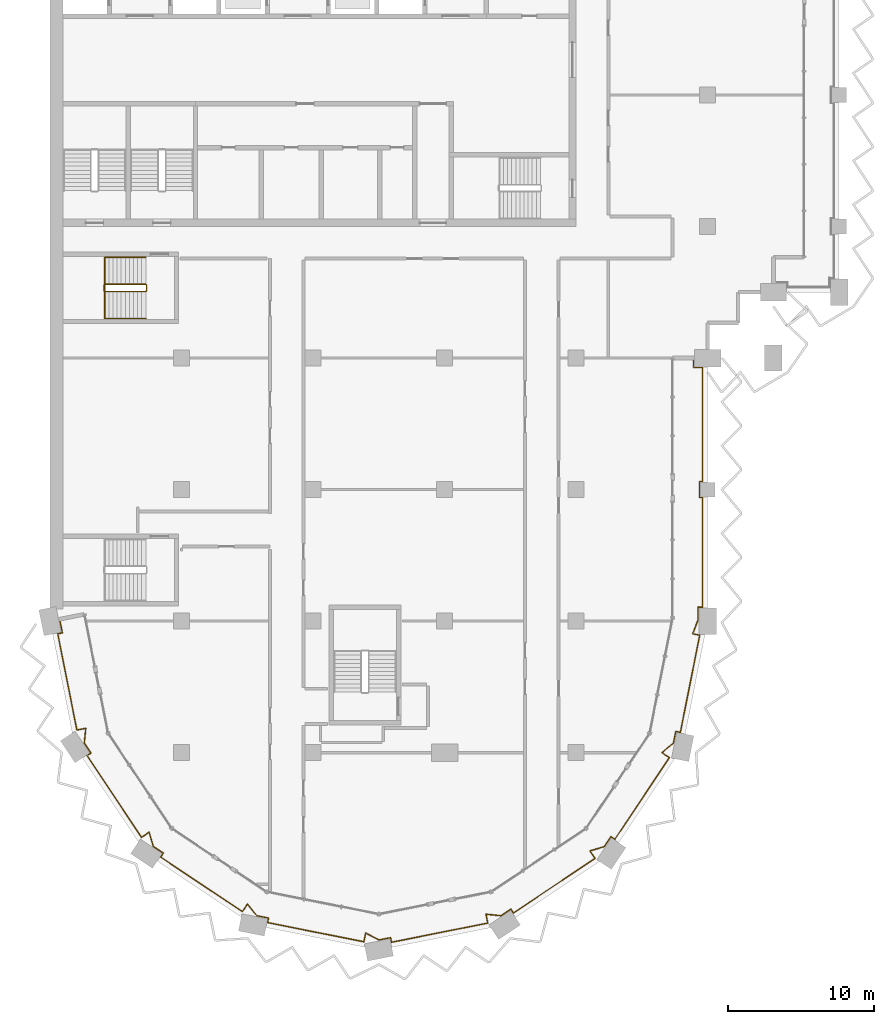
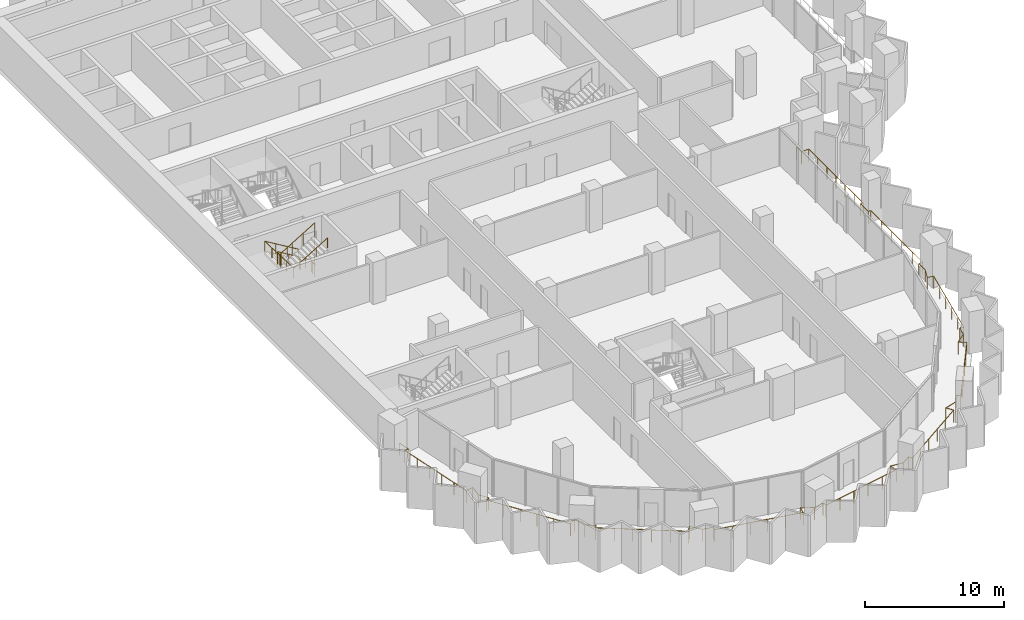
# One storey, part 15 of 18: 3 railings.
"""IFC4 building model written with IfcOpenShell, lengths in metres."""

import ifcopenshell
import ifcopenshell.guid

model = None  # the IFC model being written
_history = None  # IfcOwnerHistory: only IFC2X3 demands one
_inside = {}  # id of a spatial element -> (the spatial element, [elements in it])
_under = {}  # id of a project, library or spatial element -> (it, [spatial elements below it])
_declared = {}  # id of a project -> (the project, [libraries it declares])
_typed = {}  # id of a type object -> (the type object, [elements of that type])
_made_of = {}  # id of a material, layer set ... -> (it, [elements and type objects made of it])


def new_model(schema):
    """Start an empty IFC model of exactly this schema.

    Asked for "IFC4X3", IfcOpenShell would pick the latest addendum, in which some entities
    have other attributes; the version numbers below select the first issue.
    IFC2X3 requires an IfcOwnerHistory on every rooted entity: one is made here for all.
    """
    global model, _history
    if schema == "IFC4X3":
        model = ifcopenshell.file(schema_version=(4, 3, 0, 0))
    else:
        model = ifcopenshell.file(schema=schema)
    _inside.clear()
    _under.clear()
    _declared.clear()
    _typed.clear()
    _made_of.clear()
    _history = None
    if model.schema == "IFC2X3":
        org = make("IfcOrganization", Name="unknown")
        user = make(
            "IfcPersonAndOrganization",
            ThePerson=make("IfcPerson", FamilyName="unknown"),
            TheOrganization=org,
        )
        app = make(
            "IfcApplication",
            ApplicationDeveloper=org,
            Version="unknown",
            ApplicationFullName="unknown",
            ApplicationIdentifier="unknown",
        )
        _history = make(
            "IfcOwnerHistory",
            OwningUser=user,
            OwningApplication=app,
            ChangeAction="ADDED",
            CreationDate=0,
        )
    return model


def make(cls, **values):
    """One entity of the class cls with the attributes given. An attribute that is None is left unset."""
    return model.create_entity(
        cls, **{name: value for name, value in values.items() if value is not None}
    )


def rooted(cls, **values):
    """An entity with a GlobalId (a new one), such as an element, a storey or a relation."""
    return make(cls, GlobalId=ifcopenshell.guid.new(), OwnerHistory=_history, **values)


def si_unit(unit_type, name, prefix=None):
    """IfcSIUnit, for example si_unit("LENGTHUNIT", "METRE", prefix="MILLI")."""
    return make("IfcSIUnit", UnitType=unit_type, Prefix=prefix, Name=name)


def assignment(units):
    """IfcUnitAssignment: the units of a project."""
    return None if units is None else make("IfcUnitAssignment", Units=units)


def point(xyz):
    """IfcCartesianPoint."""
    return None if xyz is None else make("IfcCartesianPoint", Coordinates=xyz)


def direction(xyz):
    """IfcDirection."""
    return None if xyz is None else make("IfcDirection", DirectionRatios=xyz)


def frame(location, z_axis=None, x_axis=None):
    """IfcAxis2Placement3D, a coordinate frame: its origin and axes. An axis left out is left unset."""
    return make(
        "IfcAxis2Placement3D",
        Location=point(location),
        Axis=direction(z_axis),
        RefDirection=direction(x_axis),
    )


def frame_2d(location, x_axis=None):
    """IfcAxis2Placement2D, a coordinate frame in the plane: its origin and x axis."""
    return make(
        "IfcAxis2Placement2D", Location=point(location), RefDirection=direction(x_axis)
    )


def origin():
    """The frame at (0, 0, 0) with its axes left unset."""
    return frame((0.0, 0.0, 0.0))


def origin_2d():
    """The frame at (0, 0) in the plane with its x axis left unset."""
    return frame_2d((0.0, 0.0))


def place(relative_to, where):
    """IfcLocalPlacement: puts the frame where relative to a parent placement (None: the world)."""
    return make(
        "IfcLocalPlacement", PlacementRelTo=relative_to, RelativePlacement=where
    )


def context(
    kind, dimensions, precision=None, world=None, true_north=None, identifier=None
):
    """IfcGeometricRepresentationContext, for example the 3D "Model" context."""
    return make(
        "IfcGeometricRepresentationContext",
        ContextIdentifier=identifier,
        ContextType=kind,
        CoordinateSpaceDimension=dimensions,
        Precision=precision,
        WorldCoordinateSystem=world,
        TrueNorth=true_north,
    )


def subcontext(parent, identifier, kind, view, scale=None):
    """IfcGeometricRepresentationSubContext, for example "Body" below "Model"."""
    return make(
        "IfcGeometricRepresentationSubContext",
        ContextIdentifier=identifier,
        ContextType=kind,
        ParentContext=parent,
        TargetScale=scale,
        TargetView=view,
    )


def project(units=None, contexts=None):
    """IfcProject with its units and contexts."""
    return rooted(
        "IfcProject",
        Name="project",
        RepresentationContexts=contexts,
        UnitsInContext=assignment(units),
    )


def spatial(cls, under=None, at=None, **own):
    """A site, building, storey or space (cls), placed at a placement, below another one or the project."""
    s = rooted(cls, ObjectPlacement=at, **own)
    if under is not None:
        _under.setdefault(under.id(), (under, []))[1].append(s)
    return s


def profile(cls, at=None, kind="AREA", **sizes):
    """A parametric profile (cls). Its sizes go by their IFC names, for example OverallWidth=200.0."""
    return make(cls, ProfileType=kind, Position=at, **sizes)


def circle(**sizes):
    """IfcCircleProfileDef."""
    return profile("IfcCircleProfileDef", **sizes)


def extrude(swept, where, along, depth):
    """IfcExtrudedAreaSolid: the profile swept, set in the frame where, extruded along a direction by depth."""
    return make(
        "IfcExtrudedAreaSolid",
        SweptArea=swept,
        Position=where,
        ExtrudedDirection=direction(along),
        Depth=depth,
    )


def shape(context_of_items, identifier, shape_type, items):
    """IfcShapeRepresentation: the items that make up one representation, for example the "Body"."""
    return make(
        "IfcShapeRepresentation",
        ContextOfItems=context_of_items,
        RepresentationIdentifier=identifier,
        RepresentationType=shape_type,
        Items=items,
    )


def material(Name=None, Category=None):
    """IfcMaterial."""
    return make("IfcMaterial", Name=Name, Category=Category)


def made_of(thing, what):
    """Note that an element or type object is made of a material, layer set ...; save() writes the relation."""
    if what is not None:
        _made_of.setdefault(what.id(), (what, []))[1].append(thing)
    return thing


def type_object(cls, material=None, **own):
    """A type object (cls), such as IfcWallType, which elements share."""
    return made_of(rooted(cls, **own), material)


def element(
    cls,
    number,
    at=None,
    inside=None,
    cuts=None,
    type_object=None,
    material=None,
    context=None,
    identifier="Body",
    shape_type=None,
    held_by="IfcProductDefinitionShape",
    body=None,
    shapes=None,
    **own,
):
    """One element of the class cls, such as IfcWall. Its Tag is "e" and its number.

    at: its placement. inside: the storey or other place that contains it. cuts: it is an
    opening in that element (IfcRelVoidsElement). A single representation is given by context,
    identifier, shape_type and body (its items); several are given by shapes. held_by: the class
    of the entity that holds the representations. save() writes the other relations.
    """
    e = rooted(cls, Tag="e%d" % number, ObjectPlacement=at, **own)
    if body is not None:
        shapes = [shape(context, identifier, shape_type, body)]
    if shapes is not None:
        e.Representation = make(held_by, Representations=shapes)
    if inside is not None:
        _inside.setdefault(inside.id(), (inside, []))[1].append(e)
    if cuts is not None:
        rooted(
            "IfcRelVoidsElement", RelatingBuildingElement=cuts, RelatedOpeningElement=e
        )
    if type_object is not None:
        _typed.setdefault(type_object.id(), (type_object, []))[1].append(e)
    return made_of(e, material)


def aggregate(whole, parts):
    """IfcRelAggregates: a whole, such as a stair, and the parts it consists of."""
    return rooted("IfcRelAggregates", RelatingObject=whole, RelatedObjects=parts)


def save(model, path):
    """Write the relations noted so far, then the file.

    IfcRelAggregates (storeys below a building ...), IfcRelContainedInSpatialStructure (elements
    in a storey), IfcRelDefinesByType, IfcRelAssociatesMaterial and IfcRelDeclares: one each for
    every whole, place, type object, material and project.
    """
    for whole, parts in _under.values():
        aggregate(whole, parts)
    for where, things in _inside.values():
        rooted(
            "IfcRelContainedInSpatialStructure",
            RelatedElements=things,
            RelatingStructure=where,
        )
    for kind, things in _typed.values():
        rooted("IfcRelDefinesByType", RelatedObjects=things, RelatingType=kind)
    for what, things in _made_of.values():
        rooted("IfcRelAssociatesMaterial", RelatedObjects=things, RelatingMaterial=what)
    for by, libraries in _declared.values():
        rooted("IfcRelDeclares", RelatingContext=by, RelatedDefinitions=libraries)
    model.write(path)


model = new_model("IFC4")

# Units and contexts
model_context = context("Model", 3, precision=1e-05, world=origin(), true_north=direction((0.0, 1.0)))
body_context = subcontext(model_context, "Body", "Model", "MODEL_VIEW")
ifc_project = project(units=[si_unit("LENGTHUNIT", "METRE"), si_unit("AREAUNIT", "SQUARE_METRE"), si_unit("VOLUMEUNIT", "CUBIC_METRE"), si_unit("PLANEANGLEUNIT", "RADIAN"), si_unit("MASSUNIT", "GRAM", prefix="KILO")], contexts=[model_context])

# Site, building, storey
site_placement = place(None, origin())
site = spatial("IfcSite", under=ifc_project, at=site_placement, CompositionType="ELEMENT")
building_placement = place(site_placement, origin())
building = spatial("IfcBuilding", under=site, at=building_placement, Name="Hunhe Ridgeline Campus", CompositionType="ELEMENT")
storey_placement = place(building_placement, frame((0.0, 0.0, 182.800048828125)))
storey = spatial("IfcBuildingStorey", under=building, at=storey_placement, Name="L46", CompositionType="ELEMENT", Elevation=182.800048828125)

# Railings
ifc_material_1 = material(Name="Steel Q355", Category="steel")
railing_type_1 = type_object("IfcRailingType", Name="Loggia guard 1100 Steel Q355", PredefinedType="GUARDRAIL", material=ifc_material_1)
railing_1_placement = place(storey_placement, frame((0.6572265625, 36.130615234375, 0.0)))
element("IfcRailing", 1, at=railing_1_placement, inside=storey, type_object=railing_type_1, Name="Loggia guard 1", PredefinedType="GUARDRAIL", context=body_context, shape_type="SweptSolid", body=[
    extrude(circle(Radius=0.02392578125, at=origin_2d()), frame((0.0, 0.0, 1.076171875), z_axis=(0.195078060519, -0.980787719287, 0.0), x_axis=(0.980787719287, 0.195078060519, 0.0)), (0.0, 0.0, 1.0), 0.949951171875),
    extrude(circle(Radius=0.02392578125, at=origin_2d()), frame((0.185302734375, -0.931640625, 1.076171875), z_axis=(-0.980756274917, -0.195236085831, 0.0), x_axis=(0.195236085831, -0.980756274917, 0.0)), (0.0, 0.0, 1.0), 0.320068359375),
    extrude(circle(Radius=0.02392578125, at=origin_2d()), frame((-0.128662109375, -0.994140625, 1.076171875), z_axis=(0.195081688297, -0.980786997717, 0.0), x_axis=(0.980786997717, 0.195081688297, 0.0)), (0.0, 0.0, 1.0), 6.718017578125),
    extrude(circle(Radius=0.02392578125, at=origin_2d()), frame((1.181884765625, -7.5830078125, 1.076171875), z_axis=(0.980747227858, 0.195281527671, 0.0), x_axis=(-0.195281527671, 0.980747227858, 0.0)), (0.0, 0.0, 1.0), 0.618896484375),
    extrude(circle(Radius=0.02392578125, at=origin_2d()), frame((1.788818359375, -7.462158203125, 1.076171875), z_axis=(-0.100047453171, -0.99498266674, 0.0), x_axis=(0.99498266674, -0.100047453171, 0.0)), (0.0, 0.0, 1.0), 1.0224609375),
    extrude(circle(Radius=0.02392578125, at=origin_2d()), frame((1.6865234375, -8.4794921875, 1.076171875), z_axis=(0.555596479569, -0.83145207432, 0.0), x_axis=(0.83145207432, 0.555596479569, 0.0)), (0.0, 0.0, 1.0), 0.81689453125),
    extrude(circle(Radius=0.02392578125, at=origin_2d()), frame((2.140380859375, -9.15869140625, 1.076171875), z_axis=(-0.831580508376, -0.555404229448, 0.0), x_axis=(0.555404229448, -0.831580508376, 0.0)), (0.0, 0.0, 1.0), 0.320068359375),
    extrude(circle(Radius=0.02392578125, at=origin_2d()), frame((1.874267578125, -9.33642578125, 1.076171875), z_axis=(0.555588848626, -0.831457173451, 0.0), x_axis=(0.831457173451, 0.555588848626, 0.0)), (0.0, 0.0, 1.0), 6.718017578125),
    extrude(circle(Radius=0.02392578125, at=origin_2d()), frame((5.606689453125, -14.922119140625, 1.076171875), z_axis=(0.831442704119, 0.555610501851, 0.0), x_axis=(-0.555610501851, 0.831442704119, 0.0)), (0.0, 0.0, 1.0), 0.61865234375),
    extrude(circle(Radius=0.02392578125, at=origin_2d()), frame((6.12109375, -14.578369140625, 1.076171875), z_axis=(0.28844300651, -0.957497066312, 0.0), x_axis=(0.957497066312, 0.28844300651, 0.0)), (0.0, 0.0, 1.0), 1.0224609375),
    extrude(circle(Radius=0.02392578125, at=origin_2d()), frame((6.416015625, -15.557373046875, 1.076171875), z_axis=(0.831359782977, -0.55573456906, 0.0), x_axis=(0.55573456906, 0.831359782977, 0.0)), (0.0, 0.0, 1.0), 0.816650390625),
    extrude(circle(Radius=0.02392578125, at=origin_2d()), frame((7.094970703125, -16.01123046875, 1.076171875), z_axis=(-0.555404229448, -0.831580508376, 0.0), x_axis=(0.831580508376, -0.555404229448, 0.0)), (0.0, 0.0, 1.0), 0.320068359375),
    extrude(circle(Radius=0.02392578125, at=origin_2d()), frame((6.917236328125, -16.27734375, 1.076171875), z_axis=(0.831473961305, -0.555563724222, 0.0), x_axis=(0.555563724222, 0.831473961305, 0.0)), (0.0, 0.0, 1.0), 6.7177734375),
    extrude(circle(Radius=0.02392578125, at=origin_2d()), frame((12.5029296875, -20.009521484375, 1.076171875), z_axis=(0.555610501851, 0.831442704119, 0.0), x_axis=(-0.831442704119, 0.555610501851, 0.0)), (0.0, 0.0, 1.0), 0.61865234375),
    extrude(circle(Radius=0.02392578125, at=origin_2d()), frame((12.8466796875, -19.4951171875, 1.076171875), z_axis=(0.63289971186, -0.774233785576, 0.0), x_axis=(0.774233785576, 0.63289971186, 0.0)), (0.0, 0.0, 1.0), 1.022705078125),
    extrude(circle(Radius=0.02392578125, at=origin_2d()), frame((13.493896484375, -20.286865234375, 1.076171875), z_axis=(0.980821383877, -0.194908729743, 0.0), x_axis=(0.194908729743, 0.980821383877, 0.0)), (0.0, 0.0, 1.0), 0.816650390625),
    extrude(circle(Radius=0.02392578125, at=origin_2d()), frame((14.294921875, -20.446044921875, 1.076171875), z_axis=(-0.195236085831, -0.980756274917, 0.0), x_axis=(0.980756274917, -0.195236085831, 0.0)), (0.0, 0.0, 1.0), 0.320068359375),
    extrude(circle(Radius=0.02392578125, at=origin_2d()), frame((14.232421875, -20.760009765625, 1.076171875), z_axis=(0.980786997717, -0.195081688297, 0.0), x_axis=(0.195081688297, 0.980786997717, 0.0)), (0.0, 0.0, 1.0), 6.718017578125),
    extrude(circle(Radius=0.02392578125, at=origin_2d()), frame((20.8212890625, -22.070556640625, 1.076171875), z_axis=(0.194902020226, 0.980822717168, 0.0), x_axis=(-0.980822717168, 0.194902020226, 0.0)), (0.0, 0.0, 1.0), 0.618896484375),
    extrude(circle(Radius=0.02392578125, at=origin_2d()), frame((20.94189453125, -21.463623046875, 1.076171875), z_axis=(0.880961256043, -0.473188403652, 0.0), x_axis=(0.473188403652, 0.880961256043, 0.0)), (0.0, 0.0, 1.0), 1.022705078125),
    extrude(circle(Radius=0.02392578125, at=origin_2d()), frame((21.8427734375, -21.947509765625, 1.076171875), z_axis=(0.980764196543, 0.195196287822, 0.0), x_axis=(-0.195196287822, 0.980764196543, 0.0)), (0.0, 0.0, 1.0), 0.816650390625),
    extrude(circle(Radius=0.02392578125, at=origin_2d()), frame((22.643798828125, -21.7880859375, 1.076171875), z_axis=(0.195236085831, -0.980756274917, 0.0), x_axis=(0.980756274917, 0.195236085831, 0.0)), (0.0, 0.0, 1.0), 0.320068359375),
    extrude(circle(Radius=0.02392578125, at=origin_2d()), frame((22.706298828125, -22.10205078125, 1.076171875), z_axis=(0.980786997717, 0.195081688297, 0.0), x_axis=(-0.195081688297, 0.980786997717, 0.0)), (0.0, 0.0, 1.0), 6.718017578125),
    extrude(circle(Radius=0.02392578125, at=origin_2d()), frame((29.295166015625, -20.79150390625, 1.076171875), z_axis=(-0.195281527671, 0.980747227858, 0.0), x_axis=(-0.980747227858, -0.195281527671, 0.0)), (0.0, 0.0, 1.0), 0.618896484375),
    extrude(circle(Radius=0.02392578125, at=origin_2d()), frame((29.17431640625, -20.1845703125, 1.076171875), z_axis=(0.99498266674, -0.100047453171, 0.0), x_axis=(0.100047453171, 0.99498266674, 0.0)), (0.0, 0.0, 1.0), 1.0224609375),
    extrude(circle(Radius=0.02392578125, at=origin_2d()), frame((30.191650390625, -20.286865234375, 1.076171875), z_axis=(0.83145207432, 0.555596479569, 0.0), x_axis=(-0.555596479569, 0.83145207432, 0.0)), (0.0, 0.0, 1.0), 0.81689453125),
    extrude(circle(Radius=0.02392578125, at=origin_2d()), frame((30.870849609375, -19.8330078125, 1.076171875), z_axis=(0.555404229448, -0.831580508376, 0.0), x_axis=(0.831580508376, 0.555404229448, 0.0)), (0.0, 0.0, 1.0), 0.320068359375),
    extrude(circle(Radius=0.02392578125, at=origin_2d()), frame((31.048583984375, -20.09912109375, 1.076171875), z_axis=(0.831457173451, 0.555588848626, 0.0), x_axis=(-0.555588848626, 0.831457173451, 0.0)), (0.0, 0.0, 1.0), 6.718017578125),
    extrude(circle(Radius=0.02392578125, at=origin_2d()), frame((36.63427734375, -16.36669921875, 1.076171875), z_axis=(-0.555610501851, 0.831442704119, 0.0), x_axis=(-0.831442704119, -0.555610501851, 0.0)), (0.0, 0.0, 1.0), 0.61865234375),
    extrude(circle(Radius=0.02392578125, at=origin_2d()), frame((36.29052734375, -15.852294921875, 1.076171875), z_axis=(0.957497066312, 0.28844300651, 0.0), x_axis=(-0.28844300651, 0.957497066312, 0.0)), (0.0, 0.0, 1.0), 1.0224609375),
    extrude(circle(Radius=0.02392578125, at=origin_2d()), frame((37.26953125, -15.557373046875, 1.076171875), z_axis=(0.55573456906, 0.831359782977, 0.0), x_axis=(-0.831359782977, 0.55573456906, 0.0)), (0.0, 0.0, 1.0), 0.816650390625),
    extrude(circle(Radius=0.02392578125, at=origin_2d()), frame((37.723388671875, -14.87841796875, 1.076171875), z_axis=(0.831580508376, -0.555404229448, 0.0), x_axis=(0.555404229448, 0.831580508376, 0.0)), (0.0, 0.0, 1.0), 0.320068359375),
    extrude(circle(Radius=0.02392578125, at=origin_2d()), frame((37.989501953125, -15.05615234375, 1.076171875), z_axis=(0.555563724222, 0.831473961305, 0.0), x_axis=(-0.831473961305, 0.555563724222, 0.0)), (0.0, 0.0, 1.0), 6.7177734375),
    extrude(circle(Radius=0.02392578125, at=origin_2d()), frame((41.7216796875, -9.470458984375, 1.076171875), z_axis=(-0.831442704119, 0.555610501851, 0.0), x_axis=(-0.555610501851, -0.831442704119, 0.0)), (0.0, 0.0, 1.0), 0.61865234375),
    extrude(circle(Radius=0.02392578125, at=origin_2d()), frame((41.207275390625, -9.126708984375, 1.076171875), z_axis=(0.774233785576, 0.63289971186, 0.0), x_axis=(-0.63289971186, 0.774233785576, 0.0)), (0.0, 0.0, 1.0), 1.022705078125),
    extrude(circle(Radius=0.02392578125, at=origin_2d()), frame((41.9990234375, -8.4794921875, 1.076171875), z_axis=(0.194908729743, 0.980821383877, 0.0), x_axis=(-0.980821383877, 0.194908729743, 0.0)), (0.0, 0.0, 1.0), 0.816650390625),
    extrude(circle(Radius=0.02392578125, at=origin_2d()), frame((42.158203125, -7.678466796875, 1.076171875), z_axis=(0.980756274917, -0.195236085831, 0.0), x_axis=(0.195236085831, 0.980756274917, 0.0)), (0.0, 0.0, 1.0), 0.320068359375),
    extrude(circle(Radius=0.02392578125, at=origin_2d()), frame((42.47216796875, -7.740966796875, 1.076171875), z_axis=(0.195084106665, 0.980786516693, 0.0), x_axis=(-0.980786516693, 0.195084106665, 0.0)), (0.0, 0.0, 1.0), 6.779296875),
    extrude(circle(Radius=0.02392578125, at=origin_2d()), frame((43.794677734375, -1.092041015625, 1.076171875), z_axis=(-0.980754922768, 0.195242878144, 0.0), x_axis=(-0.195242878144, -0.980754922768, 0.0)), (0.0, 0.0, 1.0), 0.48388671875),
    extrude(circle(Radius=0.02392578125, at=origin_2d()), frame((43.320068359375, -0.99755859375, 1.076171875), z_axis=(0.353724256779, 0.93534974751, 0.0), x_axis=(-0.93534974751, 0.353724256779, 0.0)), (0.0, 0.0, 1.0), 0.997314453125),
    extrude(circle(Radius=0.02392578125, at=origin_2d()), frame((43.6728515625, -0.064697265625, 1.076171875), z_axis=(0.0, 1.0, 0.0), x_axis=(-1.0, 0.0, 0.0)), (0.0, 0.0, 1.0), 0.884033203125),
    extrude(circle(Radius=0.02392578125, at=origin_2d()), frame((43.6728515625, 0.8193359375, 1.076171875), z_axis=(1.0, 0.0, 0.0), x_axis=(0.0, 1.0, 0.0)), (0.0, 0.0, 1.0), 0.31982421875),
    extrude(circle(Radius=0.02392578125, at=origin_2d()), frame((43.99267578125, 0.8193359375, 1.076171875), z_axis=(0.0, 1.0, 0.0), x_axis=(-1.0, 0.0, 0.0)), (0.0, 0.0, 1.0), 7.5),
    extrude(circle(Radius=0.02392578125, at=origin_2d()), frame((43.99267578125, 8.3193359375, 1.076171875), z_axis=(-1.0, 0.0, 0.0), x_axis=(0.0, -1.0, 0.0)), (0.0, 0.0, 1.0), 0.219970703125),
    extrude(circle(Radius=0.02392578125, at=origin_2d()), frame((43.772705078125, 8.3193359375, 1.076171875), z_axis=(0.0, 1.0, 0.0), x_axis=(-1.0, 0.0, 0.0)), (0.0, 0.0, 1.0), 1.10009765625),
    extrude(circle(Radius=0.02392578125, at=origin_2d()), frame((43.772705078125, 9.41943359375, 1.076171875), z_axis=(1.0, 0.0, 0.0), x_axis=(0.0, 1.0, 0.0)), (0.0, 0.0, 1.0), 0.219970703125),
    extrude(circle(Radius=0.02392578125, at=origin_2d()), frame((43.99267578125, 9.41943359375, 1.076171875), z_axis=(0.0, 1.0, 0.0), x_axis=(-1.0, 0.0, 0.0)), (0.0, 0.0, 1.0), 7.800048828125),
    extrude(circle(Radius=0.02392578125, at=origin_2d()), frame((43.99267578125, 17.219482421875, 1.076171875), z_axis=(-1.0, 0.0, 0.0), x_axis=(0.0, -1.0, 0.0)), (0.0, 0.0, 1.0), 0.619873046875),
    extrude(circle(Radius=0.02392578125, at=origin_2d()), frame((43.372802734375, 17.219482421875, 1.076171875), z_axis=(0.0, 1.0, 0.0), x_axis=(-1.0, 0.0, 0.0)), (0.0, 0.0, 1.0), 0.64990234375),
    extrude(circle(Radius=0.02099609375, at=origin_2d()), origin(), (0.0, 0.0, 1.0), 1.052001953125),
    extrude(circle(Radius=0.02099609375, at=origin_2d()), frame((0.185302734375, -0.931640625, 0.0)), (0.0, 0.0, 1.0), 1.052001953125),
    extrude(circle(Radius=0.02099609375, at=origin_2d()), frame((-0.128662109375, -0.994140625, 0.0)), (0.0, 0.0, 1.0), 1.052001953125),
    extrude(circle(Radius=0.02099609375, at=origin_2d()), frame((0.133544921875, -2.31201171875, 0.0)), (0.0, 0.0, 1.0), 1.052001953125),
    extrude(circle(Radius=0.02099609375, at=origin_2d()), frame((0.3955078125, -3.629638671875, 0.0)), (0.0, 0.0, 1.0), 1.052001953125),
    extrude(circle(Radius=0.02099609375, at=origin_2d()), frame((0.65771484375, -4.947509765625, 0.0)), (0.0, 0.0, 1.0), 1.052001953125),
    extrude(circle(Radius=0.02099609375, at=origin_2d()), frame((0.919677734375, -6.26513671875, 0.0)), (0.0, 0.0, 1.0), 1.052001953125),
    extrude(circle(Radius=0.02099609375, at=origin_2d()), frame((1.181884765625, -7.5830078125, 0.0)), (0.0, 0.0, 1.0), 1.052001953125),
    extrude(circle(Radius=0.02099609375, at=origin_2d()), frame((1.788818359375, -7.462158203125, 0.0)), (0.0, 0.0, 1.0), 1.052001953125),
    extrude(circle(Radius=0.02099609375, at=origin_2d()), frame((1.6865234375, -8.4794921875, 0.0)), (0.0, 0.0, 1.0), 1.052001953125),
    extrude(circle(Radius=0.02099609375, at=origin_2d()), frame((2.140380859375, -9.15869140625, 0.0)), (0.0, 0.0, 1.0), 1.052001953125),
    extrude(circle(Radius=0.02099609375, at=origin_2d()), frame((1.874267578125, -9.33642578125, 0.0)), (0.0, 0.0, 1.0), 1.052001953125),
    extrude(circle(Radius=0.02099609375, at=origin_2d()), frame((2.620849609375, -10.45361328125, 0.0)), (0.0, 0.0, 1.0), 1.052001953125),
    extrude(circle(Radius=0.02099609375, at=origin_2d()), frame((3.3671875, -11.57080078125, 0.0)), (0.0, 0.0, 1.0), 1.052001953125),
    extrude(circle(Radius=0.02099609375, at=origin_2d()), frame((4.11376953125, -12.687744140625, 0.0)), (0.0, 0.0, 1.0), 1.052001953125),
    extrude(circle(Radius=0.02099609375, at=origin_2d()), frame((4.860107421875, -13.804931640625, 0.0)), (0.0, 0.0, 1.0), 1.052001953125),
    extrude(circle(Radius=0.02099609375, at=origin_2d()), frame((5.606689453125, -14.922119140625, 0.0)), (0.0, 0.0, 1.0), 1.052001953125),
    extrude(circle(Radius=0.02099609375, at=origin_2d()), frame((6.12109375, -14.578369140625, 0.0)), (0.0, 0.0, 1.0), 1.052001953125),
    extrude(circle(Radius=0.02099609375, at=origin_2d()), frame((6.416015625, -15.557373046875, 0.0)), (0.0, 0.0, 1.0), 1.052001953125),
    extrude(circle(Radius=0.02099609375, at=origin_2d()), frame((7.094970703125, -16.01123046875, 0.0)), (0.0, 0.0, 1.0), 1.052001953125),
    extrude(circle(Radius=0.02099609375, at=origin_2d()), frame((6.917236328125, -16.27734375, 0.0)), (0.0, 0.0, 1.0), 1.052001953125),
    extrude(circle(Radius=0.02099609375, at=origin_2d()), frame((8.034423828125, -17.023681640625, 0.0)), (0.0, 0.0, 1.0), 1.052001953125),
    extrude(circle(Radius=0.02099609375, at=origin_2d()), frame((9.151611328125, -17.770263671875, 0.0)), (0.0, 0.0, 1.0), 1.052001953125),
    extrude(circle(Radius=0.02099609375, at=origin_2d()), frame((10.2685546875, -18.5166015625, 0.0)), (0.0, 0.0, 1.0), 1.052001953125),
    extrude(circle(Radius=0.02099609375, at=origin_2d()), frame((11.3857421875, -19.26318359375, 0.0)), (0.0, 0.0, 1.0), 1.052001953125),
    extrude(circle(Radius=0.02099609375, at=origin_2d()), frame((12.5029296875, -20.009521484375, 0.0)), (0.0, 0.0, 1.0), 1.052001953125),
    extrude(circle(Radius=0.02099609375, at=origin_2d()), frame((12.8466796875, -19.4951171875, 0.0)), (0.0, 0.0, 1.0), 1.052001953125),
    extrude(circle(Radius=0.02099609375, at=origin_2d()), frame((13.493896484375, -20.286865234375, 0.0)), (0.0, 0.0, 1.0), 1.052001953125),
    extrude(circle(Radius=0.02099609375, at=origin_2d()), frame((14.294921875, -20.446044921875, 0.0)), (0.0, 0.0, 1.0), 1.052001953125),
    extrude(circle(Radius=0.02099609375, at=origin_2d()), frame((14.232421875, -20.760009765625, 0.0)), (0.0, 0.0, 1.0), 1.052001953125),
    extrude(circle(Radius=0.02099609375, at=origin_2d()), frame((15.55029296875, -21.022216796875, 0.0)), (0.0, 0.0, 1.0), 1.052001953125),
    extrude(circle(Radius=0.02099609375, at=origin_2d()), frame((16.867919921875, -21.2841796875, 0.0)), (0.0, 0.0, 1.0), 1.052001953125),
    extrude(circle(Radius=0.02099609375, at=origin_2d()), frame((18.185791015625, -21.54638671875, 0.0)), (0.0, 0.0, 1.0), 1.052001953125),
    extrude(circle(Radius=0.02099609375, at=origin_2d()), frame((19.50341796875, -21.808349609375, 0.0)), (0.0, 0.0, 1.0), 1.052001953125),
    extrude(circle(Radius=0.02099609375, at=origin_2d()), frame((20.8212890625, -22.070556640625, 0.0)), (0.0, 0.0, 1.0), 1.052001953125),
    extrude(circle(Radius=0.02099609375, at=origin_2d()), frame((20.94189453125, -21.463623046875, 0.0)), (0.0, 0.0, 1.0), 1.052001953125),
    extrude(circle(Radius=0.02099609375, at=origin_2d()), frame((21.8427734375, -21.947509765625, 0.0)), (0.0, 0.0, 1.0), 1.052001953125),
    extrude(circle(Radius=0.02099609375, at=origin_2d()), frame((22.643798828125, -21.7880859375, 0.0)), (0.0, 0.0, 1.0), 1.052001953125),
    extrude(circle(Radius=0.02099609375, at=origin_2d()), frame((22.706298828125, -22.10205078125, 0.0)), (0.0, 0.0, 1.0), 1.052001953125),
    extrude(circle(Radius=0.02099609375, at=origin_2d()), frame((24.024169921875, -21.83984375, 0.0)), (0.0, 0.0, 1.0), 1.052001953125),
    extrude(circle(Radius=0.02099609375, at=origin_2d()), frame((25.341796875, -21.577880859375, 0.0)), (0.0, 0.0, 1.0), 1.052001953125),
    extrude(circle(Radius=0.02099609375, at=origin_2d()), frame((26.65966796875, -21.315673828125, 0.0)), (0.0, 0.0, 1.0), 1.052001953125),
    extrude(circle(Radius=0.02099609375, at=origin_2d()), frame((27.977294921875, -21.0537109375, 0.0)), (0.0, 0.0, 1.0), 1.052001953125),
    extrude(circle(Radius=0.02099609375, at=origin_2d()), frame((29.295166015625, -20.79150390625, 0.0)), (0.0, 0.0, 1.0), 1.052001953125),
    extrude(circle(Radius=0.02099609375, at=origin_2d()), frame((29.17431640625, -20.1845703125, 0.0)), (0.0, 0.0, 1.0), 1.052001953125),
    extrude(circle(Radius=0.02099609375, at=origin_2d()), frame((30.191650390625, -20.286865234375, 0.0)), (0.0, 0.0, 1.0), 1.052001953125),
    extrude(circle(Radius=0.02099609375, at=origin_2d()), frame((30.870849609375, -19.8330078125, 0.0)), (0.0, 0.0, 1.0), 1.052001953125),
    extrude(circle(Radius=0.02099609375, at=origin_2d()), frame((31.048583984375, -20.09912109375, 0.0)), (0.0, 0.0, 1.0), 1.052001953125),
    extrude(circle(Radius=0.02099609375, at=origin_2d()), frame((32.165771484375, -19.3525390625, 0.0)), (0.0, 0.0, 1.0), 1.052001953125),
    extrude(circle(Radius=0.02099609375, at=origin_2d()), frame((33.282958984375, -18.606201171875, 0.0)), (0.0, 0.0, 1.0), 1.052001953125),
    extrude(circle(Radius=0.02099609375, at=origin_2d()), frame((34.39990234375, -17.859619140625, 0.0)), (0.0, 0.0, 1.0), 1.052001953125),
    extrude(circle(Radius=0.02099609375, at=origin_2d()), frame((35.51708984375, -17.11328125, 0.0)), (0.0, 0.0, 1.0), 1.052001953125),
    extrude(circle(Radius=0.02099609375, at=origin_2d()), frame((36.63427734375, -16.36669921875, 0.0)), (0.0, 0.0, 1.0), 1.052001953125),
    extrude(circle(Radius=0.02099609375, at=origin_2d()), frame((36.29052734375, -15.852294921875, 0.0)), (0.0, 0.0, 1.0), 1.052001953125),
    extrude(circle(Radius=0.02099609375, at=origin_2d()), frame((37.26953125, -15.557373046875, 0.0)), (0.0, 0.0, 1.0), 1.052001953125),
    extrude(circle(Radius=0.02099609375, at=origin_2d()), frame((37.723388671875, -14.87841796875, 0.0)), (0.0, 0.0, 1.0), 1.052001953125),
    extrude(circle(Radius=0.02099609375, at=origin_2d()), frame((37.989501953125, -15.05615234375, 0.0)), (0.0, 0.0, 1.0), 1.052001953125),
    extrude(circle(Radius=0.02099609375, at=origin_2d()), frame((38.73583984375, -13.93896484375, 0.0)), (0.0, 0.0, 1.0), 1.052001953125),
    extrude(circle(Radius=0.02099609375, at=origin_2d()), frame((39.482421875, -12.82177734375, 0.0)), (0.0, 0.0, 1.0), 1.052001953125),
    extrude(circle(Radius=0.02099609375, at=origin_2d()), frame((40.228759765625, -11.704833984375, 0.0)), (0.0, 0.0, 1.0), 1.052001953125),
    extrude(circle(Radius=0.02099609375, at=origin_2d()), frame((40.975341796875, -10.587646484375, 0.0)), (0.0, 0.0, 1.0), 1.052001953125),
    extrude(circle(Radius=0.02099609375, at=origin_2d()), frame((41.7216796875, -9.470458984375, 0.0)), (0.0, 0.0, 1.0), 1.052001953125),
    extrude(circle(Radius=0.02099609375, at=origin_2d()), frame((41.207275390625, -9.126708984375, 0.0)), (0.0, 0.0, 1.0), 1.052001953125),
    extrude(circle(Radius=0.02099609375, at=origin_2d()), frame((41.9990234375, -8.4794921875, 0.0)), (0.0, 0.0, 1.0), 1.052001953125),
    extrude(circle(Radius=0.02099609375, at=origin_2d()), frame((42.158203125, -7.678466796875, 0.0)), (0.0, 0.0, 1.0), 1.052001953125),
    extrude(circle(Radius=0.02099609375, at=origin_2d()), frame((42.47216796875, -7.740966796875, 0.0)), (0.0, 0.0, 1.0), 1.052001953125),
    extrude(circle(Radius=0.02099609375, at=origin_2d()), frame((42.736572265625, -6.4111328125, 0.0)), (0.0, 0.0, 1.0), 1.052001953125),
    extrude(circle(Radius=0.02099609375, at=origin_2d()), frame((43.001220703125, -5.081298828125, 0.0)), (0.0, 0.0, 1.0), 1.052001953125),
    extrude(circle(Radius=0.02099609375, at=origin_2d()), frame((43.265625, -3.751708984375, 0.0)), (0.0, 0.0, 1.0), 1.052001953125),
    extrude(circle(Radius=0.02099609375, at=origin_2d()), frame((43.5302734375, -2.421875, 0.0)), (0.0, 0.0, 1.0), 1.052001953125),
    extrude(circle(Radius=0.02099609375, at=origin_2d()), frame((43.794677734375, -1.092041015625, 0.0)), (0.0, 0.0, 1.0), 1.052001953125),
    extrude(circle(Radius=0.02099609375, at=origin_2d()), frame((43.320068359375, -0.99755859375, 0.0)), (0.0, 0.0, 1.0), 1.052001953125),
    extrude(circle(Radius=0.02099609375, at=origin_2d()), frame((43.6728515625, -0.064697265625, 0.0)), (0.0, 0.0, 1.0), 1.052001953125),
    extrude(circle(Radius=0.02099609375, at=origin_2d()), frame((43.6728515625, 0.8193359375, 0.0)), (0.0, 0.0, 1.0), 1.052001953125),
    extrude(circle(Radius=0.02099609375, at=origin_2d()), frame((43.99267578125, 0.8193359375, 0.0)), (0.0, 0.0, 1.0), 1.052001953125),
    extrude(circle(Radius=0.02099609375, at=origin_2d()), frame((43.99267578125, 2.3193359375, 0.0)), (0.0, 0.0, 1.0), 1.052001953125),
    extrude(circle(Radius=0.02099609375, at=origin_2d()), frame((43.99267578125, 3.8193359375, 0.0)), (0.0, 0.0, 1.0), 1.052001953125),
    extrude(circle(Radius=0.02099609375, at=origin_2d()), frame((43.99267578125, 5.3193359375, 0.0)), (0.0, 0.0, 1.0), 1.052001953125),
    extrude(circle(Radius=0.02099609375, at=origin_2d()), frame((43.99267578125, 6.8193359375, 0.0)), (0.0, 0.0, 1.0), 1.052001953125),
    extrude(circle(Radius=0.02099609375, at=origin_2d()), frame((43.99267578125, 8.3193359375, 0.0)), (0.0, 0.0, 1.0), 1.052001953125),
    extrude(circle(Radius=0.02099609375, at=origin_2d()), frame((43.772705078125, 8.3193359375, 0.0)), (0.0, 0.0, 1.0), 1.052001953125),
    extrude(circle(Radius=0.02099609375, at=origin_2d()), frame((43.772705078125, 9.41943359375, 0.0)), (0.0, 0.0, 1.0), 1.052001953125),
    extrude(circle(Radius=0.02099609375, at=origin_2d()), frame((43.99267578125, 9.41943359375, 0.0)), (0.0, 0.0, 1.0), 1.052001953125),
    extrude(circle(Radius=0.02099609375, at=origin_2d()), frame((43.99267578125, 10.719482421875, 0.0)), (0.0, 0.0, 1.0), 1.052001953125),
    extrude(circle(Radius=0.02099609375, at=origin_2d()), frame((43.99267578125, 12.01953125, 0.0)), (0.0, 0.0, 1.0), 1.052001953125),
    extrude(circle(Radius=0.02099609375, at=origin_2d()), frame((43.99267578125, 13.3193359375, 0.0)), (0.0, 0.0, 1.0), 1.052001953125),
    extrude(circle(Radius=0.02099609375, at=origin_2d()), frame((43.99267578125, 14.619384765625, 0.0)), (0.0, 0.0, 1.0), 1.052001953125),
    extrude(circle(Radius=0.02099609375, at=origin_2d()), frame((43.99267578125, 15.91943359375, 0.0)), (0.0, 0.0, 1.0), 1.052001953125),
    extrude(circle(Radius=0.02099609375, at=origin_2d()), frame((43.99267578125, 17.219482421875, 0.0)), (0.0, 0.0, 1.0), 1.052001953125),
    extrude(circle(Radius=0.02099609375, at=origin_2d()), frame((43.372802734375, 17.219482421875, 0.0)), (0.0, 0.0, 1.0), 1.052001953125),
    extrude(circle(Radius=0.02099609375, at=origin_2d()), frame((43.372802734375, 17.869384765625, 0.0)), (0.0, 0.0, 1.0), 1.052001953125),
])
ifc_material_2 = material(Name="Stainless steel balustrade", Category="steel")
railing_type_2 = type_object("IfcRailingType", Name="Stair guard 1100 stainless", PredefinedType="GUARDRAIL", material=ifc_material_2)
railing_2_placement = place(storey_placement, frame((6.550048828125, 59.050048828125, 0.168212890625)))
element("IfcRailing", 2, at=railing_2_placement, inside=storey, type_object=railing_type_2, Name="L46 stair W2 guard", PredefinedType="GUARDRAIL", context=body_context, shape_type="SweptSolid", body=[
    extrude(circle(Radius=0.02392578125, at=origin_2d()), frame((0.0, 0.0, 1.076171875), z_axis=(-0.857275202839, 0.0, 0.514858452973), x_axis=(0.0, -1.0, 0.0)), (0.0, 0.0, 1.0), 3.26611328125),
    extrude(circle(Radius=0.02392578125, at=origin_2d()), frame((-2.800048828125, 0.0, 2.7578125), z_axis=(-0.707106781187, -0.707106781187, 0.0), x_axis=(0.707106781187, -0.707106781187, 0.0)), (0.0, 0.0, 1.0), 0.07080078125),
    extrude(circle(Radius=0.02392578125, at=origin_2d()), frame((-2.85009765625, -0.050048828125, 2.7578125), z_axis=(0.0, -1.0, 0.0), x_axis=(1.0, 0.0, 0.0)), (0.0, 0.0, 1.0), 0.39990234375),
    extrude(circle(Radius=0.02392578125, at=origin_2d()), frame((-2.85009765625, -0.449951171875, 2.7578125), z_axis=(0.274243871929, -0.274243871929, 0.92172696468), x_axis=(0.707106781187, 0.707106781187, 0.0)), (0.0, 0.0, 1.0), 0.1826171875),
    extrude(circle(Radius=0.02392578125, at=origin_2d()), frame((-2.800048828125, -0.5, 2.92578125), z_axis=(0.857242210791, 0.0, 0.514913383045), x_axis=(0.0, 1.0, 0.0)), (0.0, 0.0, 1.0), 3.266357421875),
    extrude(circle(Radius=0.02392578125, at=origin_2d()), frame((0.0, -0.5, 4.60791015625), z_axis=(0.013524414389, 0.013524414389, -0.999817073484), x_axis=(-0.707106781187, 0.707106781187, 0.0)), (0.0, 0.0, 1.0), 3.70068359375),
    extrude(circle(Radius=0.02392578125, at=origin_2d()), frame((0.050048828125, -0.449951171875, 0.90771484375), z_axis=(0.0, 1.0, 0.0), x_axis=(-1.0, 0.0, 0.0)), (0.0, 0.0, 1.0), 0.39990234375),
    extrude(circle(Radius=0.02099609375, at=origin_2d()), origin(), (0.0, 0.0, 1.0), 1.052001953125),
    extrude(circle(Radius=0.02099609375, at=origin_2d()), frame((-0.933349609375, 0.0, 0.560546875)), (0.0, 0.0, 1.0), 1.052001953125),
    extrude(circle(Radius=0.02099609375, at=origin_2d()), frame((-1.86669921875, 0.0, 1.12109375)), (0.0, 0.0, 1.0), 1.052001953125),
    extrude(circle(Radius=0.02099609375, at=origin_2d()), frame((-2.800048828125, 0.0, 1.681640625)), (0.0, 0.0, 1.0), 1.052001953125),
    extrude(circle(Radius=0.02099609375, at=origin_2d()), frame((-2.85009765625, -0.050048828125, 1.681640625)), (0.0, 0.0, 1.0), 1.052001953125),
    extrude(circle(Radius=0.02099609375, at=origin_2d()), frame((-2.85009765625, -0.449951171875, 1.681640625)), (0.0, 0.0, 1.0), 1.052001953125),
    extrude(circle(Radius=0.02099609375, at=origin_2d()), frame((-2.800048828125, -0.5, 1.849853515625)), (0.0, 0.0, 1.0), 1.052001953125),
    extrude(circle(Radius=0.02099609375, at=origin_2d()), frame((-1.86669921875, -0.5, 2.410400390625)), (0.0, 0.0, 1.0), 1.052001953125),
    extrude(circle(Radius=0.02099609375, at=origin_2d()), frame((-0.933349609375, -0.5, 2.97119140625)), (0.0, 0.0, 1.0), 1.052001953125),
    extrude(circle(Radius=0.02099609375, at=origin_2d()), frame((0.0, -0.5, 3.53173828125)), (0.0, 0.0, 1.0), 1.052001953125),
    extrude(circle(Radius=0.02099609375, at=origin_2d()), frame((0.012451171875, -0.487548828125, 2.606689453125)), (0.0, 0.0, 1.0), 1.052001953125),
    extrude(circle(Radius=0.02099609375, at=origin_2d()), frame((0.02490234375, -0.47509765625, 1.681640625)), (0.0, 0.0, 1.0), 1.052001953125),
    extrude(circle(Radius=0.02099609375, at=origin_2d()), frame((0.03759765625, -0.46240234375, 0.7568359375)), (0.0, 0.0, 1.0), 1.052001953125),
    extrude(circle(Radius=0.02099609375, at=origin_2d()), frame((0.050048828125, -0.449951171875, -0.168212890625)), (0.0, 0.0, 1.0), 1.052001953125),
    extrude(circle(Radius=0.02099609375, at=origin_2d()), frame((0.050048828125, -0.050048828125, -0.168212890625)), (0.0, 0.0, 1.0), 1.052001953125),
])
ifc_material_3 = material(Name="Stainless steel handrail", Category="steel")
railing_type_3 = type_object("IfcRailingType", Name="Stair handrail 900 stainless", PredefinedType="HANDRAIL", material=ifc_material_3)
railing_3_placement = place(storey_placement, frame((6.550048828125, 60.89990234375, 0.168212890625)))
element("IfcRailing", 3, at=railing_3_placement, inside=storey, type_object=railing_type_3, Name="L46 stair W2 handrail", PredefinedType="HANDRAIL", context=body_context, shape_type="SweptSolid", body=[
    extrude(circle(Radius=0.02392578125, at=origin_2d()), frame((0.0, 0.0, 0.8759765625), z_axis=(-0.857275202839, 0.0, 0.514858452973), x_axis=(0.0, -1.0, 0.0)), (0.0, 0.0, 1.0), 3.26611328125),
    extrude(circle(Radius=0.02392578125, at=origin_2d()), frame((-2.800048828125, 0.0, 2.5576171875), z_axis=(0.0, -0.999198916169, 0.040019069537), x_axis=(1.0, 0.0, 0.0)), (0.0, 0.0, 1.0), 4.203369140625),
    extrude(circle(Radius=0.02392578125, at=origin_2d()), frame((-2.800048828125, -4.199951171875, 2.7255859375), z_axis=(0.857242210791, 0.0, 0.514913383045), x_axis=(0.0, 1.0, 0.0)), (0.0, 0.0, 1.0), 3.266357421875),
    extrude(circle(Radius=0.02099609375, at=origin_2d()), origin(), (0.0, 0.0, 1.0), 0.851806640625),
    extrude(circle(Radius=0.02099609375, at=origin_2d()), frame((-0.933349609375, 0.0, 0.560546875)), (0.0, 0.0, 1.0), 0.851806640625),
    extrude(circle(Radius=0.02099609375, at=origin_2d()), frame((-1.86669921875, 0.0, 1.12109375)), (0.0, 0.0, 1.0), 0.851806640625),
    extrude(circle(Radius=0.02099609375, at=origin_2d()), frame((-2.800048828125, 0.0, 1.681640625)), (0.0, 0.0, 1.0), 0.851806640625),
    extrude(circle(Radius=0.02099609375, at=origin_2d()), frame((-2.800048828125, -1.050048828125, 1.7236328125)), (0.0, 0.0, 1.0), 0.851806640625),
    extrude(circle(Radius=0.02099609375, at=origin_2d()), frame((-2.800048828125, -2.10009765625, 1.765625)), (0.0, 0.0, 1.0), 0.851806640625),
    extrude(circle(Radius=0.02099609375, at=origin_2d()), frame((-2.800048828125, -3.14990234375, 1.807861328125)), (0.0, 0.0, 1.0), 0.851806640625),
    extrude(circle(Radius=0.02099609375, at=origin_2d()), frame((-2.800048828125, -4.199951171875, 1.849853515625)), (0.0, 0.0, 1.0), 0.851806640625),
    extrude(circle(Radius=0.02099609375, at=origin_2d()), frame((-1.86669921875, -4.199951171875, 2.410400390625)), (0.0, 0.0, 1.0), 0.851806640625),
    extrude(circle(Radius=0.02099609375, at=origin_2d()), frame((-0.933349609375, -4.199951171875, 2.97119140625)), (0.0, 0.0, 1.0), 0.851806640625),
    extrude(circle(Radius=0.02099609375, at=origin_2d()), frame((0.0, -4.199951171875, 3.53173828125)), (0.0, 0.0, 1.0), 0.851806640625),
])

save(model, "model.ifc")
